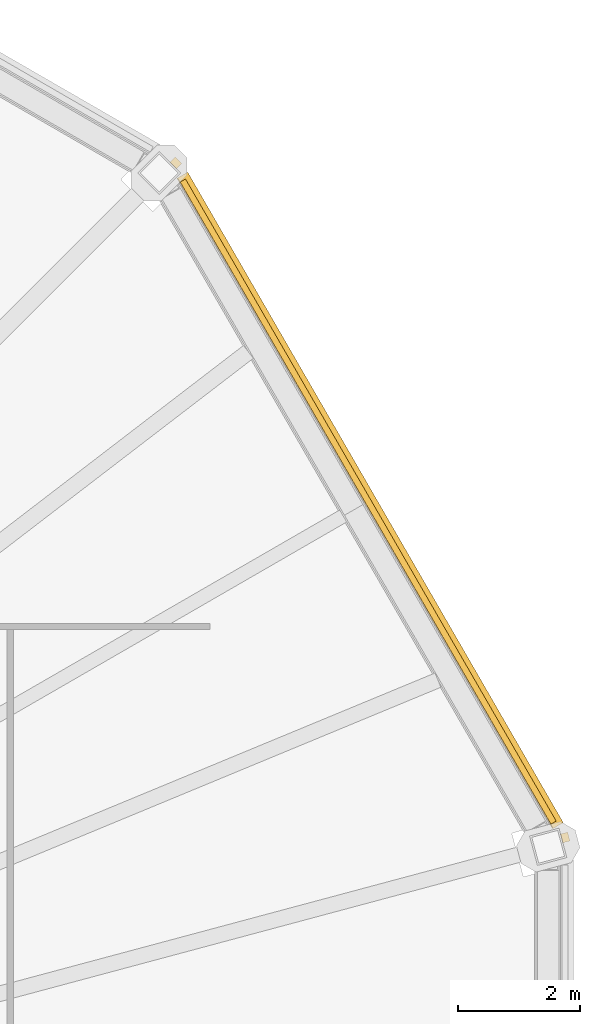
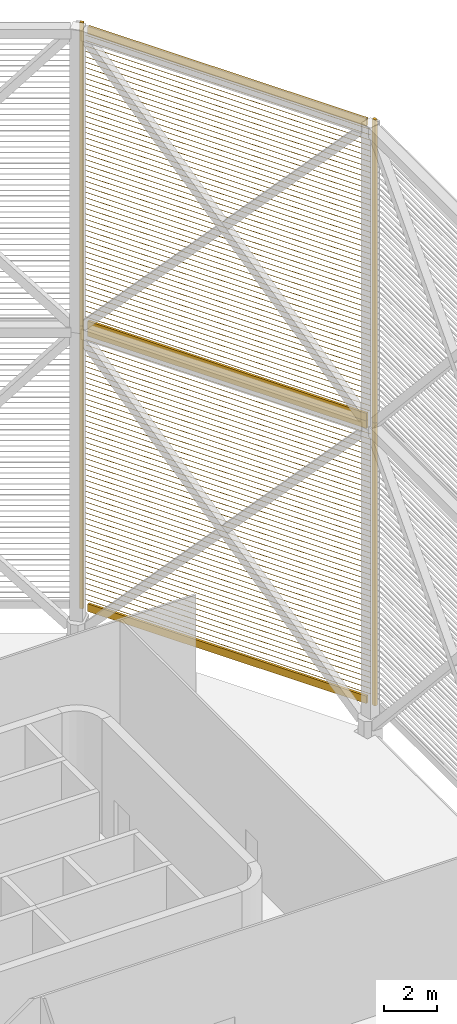
# One storey, part 17 of 18: 2 shading devices.
"""IFC4 building model written with IfcOpenShell, lengths in metres."""

from ifc_helpers import new_model, si_unit, direction, frame, origin, origin_2d, place, context, subcontext, project, spatial, rectangle, extrude, material, type_object, element, save


model = new_model("IFC4")

# Units and contexts
model_context = context("Model", 3, precision=1e-05, world=origin(), true_north=direction((0.0, 1.0)))
body_context = subcontext(model_context, "Body", "Model", "MODEL_VIEW")
ifc_project = project(units=[si_unit("LENGTHUNIT", "METRE"), si_unit("AREAUNIT", "SQUARE_METRE"), si_unit("VOLUMEUNIT", "CUBIC_METRE"), si_unit("PLANEANGLEUNIT", "RADIAN"), si_unit("MASSUNIT", "GRAM", prefix="KILO")], contexts=[model_context])

# Site, building, storey
site_placement = place(None, origin())
site = spatial("IfcSite", under=ifc_project, at=site_placement, CompositionType="ELEMENT")
building_placement = place(site_placement, origin())
building = spatial("IfcBuilding", under=site, at=building_placement, Name="Sahrelin Media Tower", CompositionType="ELEMENT")
storey_placement = place(building_placement, frame((0.0, 0.0, 335.800048828125)))
storey = spatial("IfcBuildingStorey", under=building, at=storey_placement, Name="Crown", CompositionType="ELEMENT", Elevation=335.800048828125)

# Shading devices
ifc_material = material(Name="Champagne anodised aluminium 6063-T6", Category="aluminium")
shading_device_type = type_object("IfcShadingDeviceType", Name="Crown louvre screen", PredefinedType="USERDEFINED", material=ifc_material)
shading_device_1_placement = place(storey_placement, frame((23.830078125, 6.38525390625, 0.949951171875), z_axis=(0.0, 0.0, 1.0), x_axis=(0.500011000363, -0.866019052629, 0.0)))
element("IfcShadingDevice", 1, at=shading_device_1_placement, inside=storey, type_object=shading_device_type, Name="Crown louvre screen CS-00A", ObjectType="LOUVRE", PredefinedType="USERDEFINED", context=body_context, shape_type="SweptSolid", body=[
    extrude(rectangle(XDim=0.10009765625, YDim=0.35009765625, at=origin_2d()), frame((-0.300048828125, 0.27490234375, 12.875), z_axis=(-1.0, 0.0, 0.0), x_axis=(0.0, -1.0, 0.0)), (0.0, 0.0, 1.0), 12.17041015625),
    extrude(rectangle(XDim=0.10009765625, YDim=0.35009765625, at=origin_2d()), frame((-0.300048828125, 0.27490234375, 0.175048828125), z_axis=(-1.0, 0.0, 0.0), x_axis=(0.0, -1.0, 0.0)), (0.0, 0.0, 1.0), 12.17041015625),
    extrude(rectangle(XDim=0.1201171875, YDim=0.14990234375, at=origin_2d()), frame((0.0078125, 0.31884765625, 0.0), z_axis=(0.0, 0.0, 1.0), x_axis=(0.258820730961, 0.965925374563, 0.0)), (0.0, 0.0, 1.0), 13.050048828125),
    extrude(rectangle(XDim=0.1201171875, YDim=0.14990234375, at=origin_2d()), frame((-12.7783203125, 0.31884765625, 0.0), z_axis=(0.0, 0.0, 1.0), x_axis=(-0.258817359244, 0.965926278012, 0.0)), (0.0, 0.0, 1.0), 13.050048828125),
    extrude(rectangle(XDim=0.25, YDim=0.02001953125, at=origin_2d()), frame((-0.219970703125, 0.31005859375, 0.449951171875), z_axis=(-1.0, 0.0, 0.0), x_axis=(0.0, -0.766044443119, 0.642787609687)), (0.0, 0.0, 1.0), 12.33056640625),
    extrude(rectangle(XDim=0.25, YDim=0.02001953125, at=origin_2d()), frame((-0.219970703125, 0.31005859375, 0.699951171875), z_axis=(-1.0, 0.0, 0.0), x_axis=(0.0, -0.766044443119, 0.642787609687)), (0.0, 0.0, 1.0), 12.33056640625),
    extrude(rectangle(XDim=0.25, YDim=0.02001953125, at=origin_2d()), frame((-0.219970703125, 0.31005859375, 0.949951171875), z_axis=(-1.0, 0.0, 0.0), x_axis=(0.0, -0.766044443119, 0.642787609687)), (0.0, 0.0, 1.0), 12.33056640625),
    extrude(rectangle(XDim=0.25, YDim=0.02001953125, at=origin_2d()), frame((-0.219970703125, 0.31005859375, 1.199951171875), z_axis=(-1.0, 0.0, 0.0), x_axis=(0.0, -0.766044443119, 0.642787609687)), (0.0, 0.0, 1.0), 12.33056640625),
    extrude(rectangle(XDim=0.25, YDim=0.02001953125, at=origin_2d()), frame((-0.219970703125, 0.31005859375, 1.449951171875), z_axis=(-1.0, 0.0, 0.0), x_axis=(0.0, -0.766044443119, 0.642787609687)), (0.0, 0.0, 1.0), 12.33056640625),
    extrude(rectangle(XDim=0.25, YDim=0.02001953125, at=origin_2d()), frame((-0.219970703125, 0.31005859375, 1.699951171875), z_axis=(-1.0, 0.0, 0.0), x_axis=(0.0, -0.766044443119, 0.642787609687)), (0.0, 0.0, 1.0), 12.33056640625),
    extrude(rectangle(XDim=0.25, YDim=0.02001953125, at=origin_2d()), frame((-0.219970703125, 0.31005859375, 1.949951171875), z_axis=(-1.0, 0.0, 0.0), x_axis=(0.0, -0.766044443119, 0.642787609687)), (0.0, 0.0, 1.0), 12.33056640625),
    extrude(rectangle(XDim=0.25, YDim=0.02001953125, at=origin_2d()), frame((-0.219970703125, 0.31005859375, 2.199951171875), z_axis=(-1.0, 0.0, 0.0), x_axis=(0.0, -0.766044443119, 0.642787609687)), (0.0, 0.0, 1.0), 12.33056640625),
    extrude(rectangle(XDim=0.25, YDim=0.02001953125, at=origin_2d()), frame((-0.219970703125, 0.31005859375, 2.449951171875), z_axis=(-1.0, 0.0, 0.0), x_axis=(0.0, -0.766044443119, 0.642787609687)), (0.0, 0.0, 1.0), 12.33056640625),
    extrude(rectangle(XDim=0.25, YDim=0.02001953125, at=origin_2d()), frame((-0.219970703125, 0.31005859375, 2.699951171875), z_axis=(-1.0, 0.0, 0.0), x_axis=(0.0, -0.766044443119, 0.642787609687)), (0.0, 0.0, 1.0), 12.33056640625),
    extrude(rectangle(XDim=0.25, YDim=0.02001953125, at=origin_2d()), frame((-0.219970703125, 0.31005859375, 2.949951171875), z_axis=(-1.0, 0.0, 0.0), x_axis=(0.0, -0.766044443119, 0.642787609687)), (0.0, 0.0, 1.0), 12.33056640625),
    extrude(rectangle(XDim=0.25, YDim=0.02001953125, at=origin_2d()), frame((-0.219970703125, 0.31005859375, 3.199951171875), z_axis=(-1.0, 0.0, 0.0), x_axis=(0.0, -0.766044443119, 0.642787609687)), (0.0, 0.0, 1.0), 12.33056640625),
    extrude(rectangle(XDim=0.25, YDim=0.02001953125, at=origin_2d()), frame((-0.219970703125, 0.31005859375, 3.449951171875), z_axis=(-1.0, 0.0, 0.0), x_axis=(0.0, -0.766044443119, 0.642787609687)), (0.0, 0.0, 1.0), 12.33056640625),
    extrude(rectangle(XDim=0.25, YDim=0.02001953125, at=origin_2d()), frame((-0.219970703125, 0.31005859375, 3.699951171875), z_axis=(-1.0, 0.0, 0.0), x_axis=(0.0, -0.766044443119, 0.642787609687)), (0.0, 0.0, 1.0), 12.33056640625),
    extrude(rectangle(XDim=0.25, YDim=0.02001953125, at=origin_2d()), frame((-0.219970703125, 0.31005859375, 3.949951171875), z_axis=(-1.0, 0.0, 0.0), x_axis=(0.0, -0.766044443119, 0.642787609687)), (0.0, 0.0, 1.0), 12.33056640625),
    extrude(rectangle(XDim=0.25, YDim=0.02001953125, at=origin_2d()), frame((-0.219970703125, 0.31005859375, 4.199951171875), z_axis=(-1.0, 0.0, 0.0), x_axis=(0.0, -0.766044443119, 0.642787609687)), (0.0, 0.0, 1.0), 12.33056640625),
    extrude(rectangle(XDim=0.25, YDim=0.02001953125, at=origin_2d()), frame((-0.219970703125, 0.31005859375, 4.449951171875), z_axis=(-1.0, 0.0, 0.0), x_axis=(0.0, -0.766044443119, 0.642787609687)), (0.0, 0.0, 1.0), 12.33056640625),
    extrude(rectangle(XDim=0.25, YDim=0.02001953125, at=origin_2d()), frame((-0.219970703125, 0.31005859375, 4.699951171875), z_axis=(-1.0, 0.0, 0.0), x_axis=(0.0, -0.766044443119, 0.642787609687)), (0.0, 0.0, 1.0), 12.33056640625),
    extrude(rectangle(XDim=0.25, YDim=0.02001953125, at=origin_2d()), frame((-0.219970703125, 0.31005859375, 4.949951171875), z_axis=(-1.0, 0.0, 0.0), x_axis=(0.0, -0.766044443119, 0.642787609687)), (0.0, 0.0, 1.0), 12.33056640625),
    extrude(rectangle(XDim=0.25, YDim=0.02001953125, at=origin_2d()), frame((-0.219970703125, 0.31005859375, 5.199951171875), z_axis=(-1.0, 0.0, 0.0), x_axis=(0.0, -0.766044443119, 0.642787609687)), (0.0, 0.0, 1.0), 12.33056640625),
    extrude(rectangle(XDim=0.25, YDim=0.02001953125, at=origin_2d()), frame((-0.219970703125, 0.31005859375, 5.449951171875), z_axis=(-1.0, 0.0, 0.0), x_axis=(0.0, -0.766044443119, 0.642787609687)), (0.0, 0.0, 1.0), 12.33056640625),
    extrude(rectangle(XDim=0.25, YDim=0.02001953125, at=origin_2d()), frame((-0.219970703125, 0.31005859375, 5.699951171875), z_axis=(-1.0, 0.0, 0.0), x_axis=(0.0, -0.766044443119, 0.642787609687)), (0.0, 0.0, 1.0), 12.33056640625),
    extrude(rectangle(XDim=0.25, YDim=0.02001953125, at=origin_2d()), frame((-0.219970703125, 0.31005859375, 5.949951171875), z_axis=(-1.0, 0.0, 0.0), x_axis=(0.0, -0.766044443119, 0.642787609687)), (0.0, 0.0, 1.0), 12.33056640625),
    extrude(rectangle(XDim=0.25, YDim=0.02001953125, at=origin_2d()), frame((-0.219970703125, 0.31005859375, 6.199951171875), z_axis=(-1.0, 0.0, 0.0), x_axis=(0.0, -0.766044443119, 0.642787609687)), (0.0, 0.0, 1.0), 12.33056640625),
    extrude(rectangle(XDim=0.25, YDim=0.02001953125, at=origin_2d()), frame((-0.219970703125, 0.31005859375, 6.449951171875), z_axis=(-1.0, 0.0, 0.0), x_axis=(0.0, -0.766044443119, 0.642787609687)), (0.0, 0.0, 1.0), 12.33056640625),
    extrude(rectangle(XDim=0.25, YDim=0.02001953125, at=origin_2d()), frame((-0.219970703125, 0.31005859375, 6.699951171875), z_axis=(-1.0, 0.0, 0.0), x_axis=(0.0, -0.766044443119, 0.642787609687)), (0.0, 0.0, 1.0), 12.33056640625),
    extrude(rectangle(XDim=0.25, YDim=0.02001953125, at=origin_2d()), frame((-0.219970703125, 0.31005859375, 6.949951171875), z_axis=(-1.0, 0.0, 0.0), x_axis=(0.0, -0.766044443119, 0.642787609687)), (0.0, 0.0, 1.0), 12.33056640625),
    extrude(rectangle(XDim=0.25, YDim=0.02001953125, at=origin_2d()), frame((-0.219970703125, 0.31005859375, 7.199951171875), z_axis=(-1.0, 0.0, 0.0), x_axis=(0.0, -0.766044443119, 0.642787609687)), (0.0, 0.0, 1.0), 12.33056640625),
    extrude(rectangle(XDim=0.25, YDim=0.02001953125, at=origin_2d()), frame((-0.219970703125, 0.31005859375, 7.449951171875), z_axis=(-1.0, 0.0, 0.0), x_axis=(0.0, -0.766044443119, 0.642787609687)), (0.0, 0.0, 1.0), 12.33056640625),
    extrude(rectangle(XDim=0.25, YDim=0.02001953125, at=origin_2d()), frame((-0.219970703125, 0.31005859375, 7.699951171875), z_axis=(-1.0, 0.0, 0.0), x_axis=(0.0, -0.766044443119, 0.642787609687)), (0.0, 0.0, 1.0), 12.33056640625),
    extrude(rectangle(XDim=0.25, YDim=0.02001953125, at=origin_2d()), frame((-0.219970703125, 0.31005859375, 7.949951171875), z_axis=(-1.0, 0.0, 0.0), x_axis=(0.0, -0.766044443119, 0.642787609687)), (0.0, 0.0, 1.0), 12.33056640625),
    extrude(rectangle(XDim=0.25, YDim=0.02001953125, at=origin_2d()), frame((-0.219970703125, 0.31005859375, 8.199951171875), z_axis=(-1.0, 0.0, 0.0), x_axis=(0.0, -0.766044443119, 0.642787609687)), (0.0, 0.0, 1.0), 12.33056640625),
    extrude(rectangle(XDim=0.25, YDim=0.02001953125, at=origin_2d()), frame((-0.219970703125, 0.31005859375, 8.449951171875), z_axis=(-1.0, 0.0, 0.0), x_axis=(0.0, -0.766044443119, 0.642787609687)), (0.0, 0.0, 1.0), 12.33056640625),
    extrude(rectangle(XDim=0.25, YDim=0.02001953125, at=origin_2d()), frame((-0.219970703125, 0.31005859375, 8.699951171875), z_axis=(-1.0, 0.0, 0.0), x_axis=(0.0, -0.766044443119, 0.642787609687)), (0.0, 0.0, 1.0), 12.33056640625),
    extrude(rectangle(XDim=0.25, YDim=0.02001953125, at=origin_2d()), frame((-0.219970703125, 0.31005859375, 8.949951171875), z_axis=(-1.0, 0.0, 0.0), x_axis=(0.0, -0.766044443119, 0.642787609687)), (0.0, 0.0, 1.0), 12.33056640625),
    extrude(rectangle(XDim=0.25, YDim=0.02001953125, at=origin_2d()), frame((-0.219970703125, 0.31005859375, 9.199951171875), z_axis=(-1.0, 0.0, 0.0), x_axis=(0.0, -0.766044443119, 0.642787609687)), (0.0, 0.0, 1.0), 12.33056640625),
    extrude(rectangle(XDim=0.25, YDim=0.02001953125, at=origin_2d()), frame((-0.219970703125, 0.31005859375, 9.449951171875), z_axis=(-1.0, 0.0, 0.0), x_axis=(0.0, -0.766044443119, 0.642787609687)), (0.0, 0.0, 1.0), 12.33056640625),
    extrude(rectangle(XDim=0.25, YDim=0.02001953125, at=origin_2d()), frame((-0.219970703125, 0.31005859375, 9.699951171875), z_axis=(-1.0, 0.0, 0.0), x_axis=(0.0, -0.766044443119, 0.642787609687)), (0.0, 0.0, 1.0), 12.33056640625),
    extrude(rectangle(XDim=0.25, YDim=0.02001953125, at=origin_2d()), frame((-0.219970703125, 0.31005859375, 9.949951171875), z_axis=(-1.0, 0.0, 0.0), x_axis=(0.0, -0.766044443119, 0.642787609687)), (0.0, 0.0, 1.0), 12.33056640625),
    extrude(rectangle(XDim=0.25, YDim=0.02001953125, at=origin_2d()), frame((-0.219970703125, 0.31005859375, 10.199951171875), z_axis=(-1.0, 0.0, 0.0), x_axis=(0.0, -0.766044443119, 0.642787609687)), (0.0, 0.0, 1.0), 12.33056640625),
    extrude(rectangle(XDim=0.25, YDim=0.02001953125, at=origin_2d()), frame((-0.219970703125, 0.31005859375, 10.449951171875), z_axis=(-1.0, 0.0, 0.0), x_axis=(0.0, -0.766044443119, 0.642787609687)), (0.0, 0.0, 1.0), 12.33056640625),
    extrude(rectangle(XDim=0.25, YDim=0.02001953125, at=origin_2d()), frame((-0.219970703125, 0.31005859375, 10.699951171875), z_axis=(-1.0, 0.0, 0.0), x_axis=(0.0, -0.766044443119, 0.642787609687)), (0.0, 0.0, 1.0), 12.33056640625),
    extrude(rectangle(XDim=0.25, YDim=0.02001953125, at=origin_2d()), frame((-0.219970703125, 0.31005859375, 10.949951171875), z_axis=(-1.0, 0.0, 0.0), x_axis=(0.0, -0.766044443119, 0.642787609687)), (0.0, 0.0, 1.0), 12.33056640625),
    extrude(rectangle(XDim=0.25, YDim=0.02001953125, at=origin_2d()), frame((-0.219970703125, 0.31005859375, 11.199951171875), z_axis=(-1.0, 0.0, 0.0), x_axis=(0.0, -0.766044443119, 0.642787609687)), (0.0, 0.0, 1.0), 12.33056640625),
    extrude(rectangle(XDim=0.25, YDim=0.02001953125, at=origin_2d()), frame((-0.219970703125, 0.31005859375, 11.449951171875), z_axis=(-1.0, 0.0, 0.0), x_axis=(0.0, -0.766044443119, 0.642787609687)), (0.0, 0.0, 1.0), 12.33056640625),
    extrude(rectangle(XDim=0.25, YDim=0.02001953125, at=origin_2d()), frame((-0.219970703125, 0.31005859375, 11.699951171875), z_axis=(-1.0, 0.0, 0.0), x_axis=(0.0, -0.766044443119, 0.642787609687)), (0.0, 0.0, 1.0), 12.33056640625),
    extrude(rectangle(XDim=0.25, YDim=0.02001953125, at=origin_2d()), frame((-0.219970703125, 0.31005859375, 11.949951171875), z_axis=(-1.0, 0.0, 0.0), x_axis=(0.0, -0.766044443119, 0.642787609687)), (0.0, 0.0, 1.0), 12.33056640625),
    extrude(rectangle(XDim=0.25, YDim=0.02001953125, at=origin_2d()), frame((-0.219970703125, 0.31005859375, 12.199951171875), z_axis=(-1.0, 0.0, 0.0), x_axis=(0.0, -0.766044443119, 0.642787609687)), (0.0, 0.0, 1.0), 12.33056640625),
    extrude(rectangle(XDim=0.25, YDim=0.02001953125, at=origin_2d()), frame((-0.219970703125, 0.31005859375, 12.449951171875), z_axis=(-1.0, 0.0, 0.0), x_axis=(0.0, -0.766044443119, 0.642787609687)), (0.0, 0.0, 1.0), 12.33056640625),
])
shading_device_2_placement = place(storey_placement, frame((23.830078125, 6.38525390625, 14.0), z_axis=(0.0, 0.0, 1.0), x_axis=(0.500011000363, -0.866019052629, 0.0)))
element("IfcShadingDevice", 2, at=shading_device_2_placement, inside=storey, type_object=shading_device_type, Name="Crown louvre screen CS-00B", ObjectType="LOUVRE", PredefinedType="USERDEFINED", context=body_context, shape_type="SweptSolid", body=[
    extrude(rectangle(XDim=0.10009765625, YDim=0.35009765625, at=origin_2d()), frame((-0.300048828125, 0.27490234375, 13.77490234375), z_axis=(-1.0, 0.0, 0.0), x_axis=(0.0, -1.0, 0.0)), (0.0, 0.0, 1.0), 12.17041015625),
    extrude(rectangle(XDim=0.10009765625, YDim=0.35009765625, at=origin_2d()), frame((-0.300048828125, 0.27490234375, 0.175048828125), z_axis=(-1.0, 0.0, 0.0), x_axis=(0.0, -1.0, 0.0)), (0.0, 0.0, 1.0), 12.17041015625),
    extrude(rectangle(XDim=0.1201171875, YDim=0.14990234375, at=origin_2d()), frame((0.0078125, 0.31884765625, 0.0), z_axis=(0.0, 0.0, 1.0), x_axis=(0.258820730961, 0.965925374563, 0.0)), (0.0, 0.0, 1.0), 14.0),
    extrude(rectangle(XDim=0.1201171875, YDim=0.14990234375, at=origin_2d()), frame((-12.7783203125, 0.31884765625, 0.0), z_axis=(0.0, 0.0, 1.0), x_axis=(-0.258817359244, 0.965926278012, 0.0)), (0.0, 0.0, 1.0), 14.0),
    extrude(rectangle(XDim=0.25, YDim=0.02001953125, at=origin_2d()), frame((-0.219970703125, 0.31005859375, 0.449951171875), z_axis=(-1.0, 0.0, 0.0), x_axis=(0.0, -0.766044443119, 0.642787609687)), (0.0, 0.0, 1.0), 12.33056640625),
    extrude(rectangle(XDim=0.25, YDim=0.02001953125, at=origin_2d()), frame((-0.219970703125, 0.31005859375, 0.699951171875), z_axis=(-1.0, 0.0, 0.0), x_axis=(0.0, -0.766044443119, 0.642787609687)), (0.0, 0.0, 1.0), 12.33056640625),
    extrude(rectangle(XDim=0.25, YDim=0.02001953125, at=origin_2d()), frame((-0.219970703125, 0.31005859375, 0.949951171875), z_axis=(-1.0, 0.0, 0.0), x_axis=(0.0, -0.766044443119, 0.642787609687)), (0.0, 0.0, 1.0), 12.33056640625),
    extrude(rectangle(XDim=0.25, YDim=0.02001953125, at=origin_2d()), frame((-0.219970703125, 0.31005859375, 1.199951171875), z_axis=(-1.0, 0.0, 0.0), x_axis=(0.0, -0.766044443119, 0.642787609687)), (0.0, 0.0, 1.0), 12.33056640625),
    extrude(rectangle(XDim=0.25, YDim=0.02001953125, at=origin_2d()), frame((-0.219970703125, 0.31005859375, 1.449951171875), z_axis=(-1.0, 0.0, 0.0), x_axis=(0.0, -0.766044443119, 0.642787609687)), (0.0, 0.0, 1.0), 12.33056640625),
    extrude(rectangle(XDim=0.25, YDim=0.02001953125, at=origin_2d()), frame((-0.219970703125, 0.31005859375, 1.699951171875), z_axis=(-1.0, 0.0, 0.0), x_axis=(0.0, -0.766044443119, 0.642787609687)), (0.0, 0.0, 1.0), 12.33056640625),
    extrude(rectangle(XDim=0.25, YDim=0.02001953125, at=origin_2d()), frame((-0.219970703125, 0.31005859375, 1.949951171875), z_axis=(-1.0, 0.0, 0.0), x_axis=(0.0, -0.766044443119, 0.642787609687)), (0.0, 0.0, 1.0), 12.33056640625),
    extrude(rectangle(XDim=0.25, YDim=0.02001953125, at=origin_2d()), frame((-0.219970703125, 0.31005859375, 2.199951171875), z_axis=(-1.0, 0.0, 0.0), x_axis=(0.0, -0.766044443119, 0.642787609687)), (0.0, 0.0, 1.0), 12.33056640625),
    extrude(rectangle(XDim=0.25, YDim=0.02001953125, at=origin_2d()), frame((-0.219970703125, 0.31005859375, 2.449951171875), z_axis=(-1.0, 0.0, 0.0), x_axis=(0.0, -0.766044443119, 0.642787609687)), (0.0, 0.0, 1.0), 12.33056640625),
    extrude(rectangle(XDim=0.25, YDim=0.02001953125, at=origin_2d()), frame((-0.219970703125, 0.31005859375, 2.699951171875), z_axis=(-1.0, 0.0, 0.0), x_axis=(0.0, -0.766044443119, 0.642787609687)), (0.0, 0.0, 1.0), 12.33056640625),
    extrude(rectangle(XDim=0.25, YDim=0.02001953125, at=origin_2d()), frame((-0.219970703125, 0.31005859375, 2.949951171875), z_axis=(-1.0, 0.0, 0.0), x_axis=(0.0, -0.766044443119, 0.642787609687)), (0.0, 0.0, 1.0), 12.33056640625),
    extrude(rectangle(XDim=0.25, YDim=0.02001953125, at=origin_2d()), frame((-0.219970703125, 0.31005859375, 3.199951171875), z_axis=(-1.0, 0.0, 0.0), x_axis=(0.0, -0.766044443119, 0.642787609687)), (0.0, 0.0, 1.0), 12.33056640625),
    extrude(rectangle(XDim=0.25, YDim=0.02001953125, at=origin_2d()), frame((-0.219970703125, 0.31005859375, 3.449951171875), z_axis=(-1.0, 0.0, 0.0), x_axis=(0.0, -0.766044443119, 0.642787609687)), (0.0, 0.0, 1.0), 12.33056640625),
    extrude(rectangle(XDim=0.25, YDim=0.02001953125, at=origin_2d()), frame((-0.219970703125, 0.31005859375, 3.699951171875), z_axis=(-1.0, 0.0, 0.0), x_axis=(0.0, -0.766044443119, 0.642787609687)), (0.0, 0.0, 1.0), 12.33056640625),
    extrude(rectangle(XDim=0.25, YDim=0.02001953125, at=origin_2d()), frame((-0.219970703125, 0.31005859375, 3.949951171875), z_axis=(-1.0, 0.0, 0.0), x_axis=(0.0, -0.766044443119, 0.642787609687)), (0.0, 0.0, 1.0), 12.33056640625),
    extrude(rectangle(XDim=0.25, YDim=0.02001953125, at=origin_2d()), frame((-0.219970703125, 0.31005859375, 4.199951171875), z_axis=(-1.0, 0.0, 0.0), x_axis=(0.0, -0.766044443119, 0.642787609687)), (0.0, 0.0, 1.0), 12.33056640625),
    extrude(rectangle(XDim=0.25, YDim=0.02001953125, at=origin_2d()), frame((-0.219970703125, 0.31005859375, 4.449951171875), z_axis=(-1.0, 0.0, 0.0), x_axis=(0.0, -0.766044443119, 0.642787609687)), (0.0, 0.0, 1.0), 12.33056640625),
    extrude(rectangle(XDim=0.25, YDim=0.02001953125, at=origin_2d()), frame((-0.219970703125, 0.31005859375, 4.699951171875), z_axis=(-1.0, 0.0, 0.0), x_axis=(0.0, -0.766044443119, 0.642787609687)), (0.0, 0.0, 1.0), 12.33056640625),
    extrude(rectangle(XDim=0.25, YDim=0.02001953125, at=origin_2d()), frame((-0.219970703125, 0.31005859375, 4.949951171875), z_axis=(-1.0, 0.0, 0.0), x_axis=(0.0, -0.766044443119, 0.642787609687)), (0.0, 0.0, 1.0), 12.33056640625),
    extrude(rectangle(XDim=0.25, YDim=0.02001953125, at=origin_2d()), frame((-0.219970703125, 0.31005859375, 5.199951171875), z_axis=(-1.0, 0.0, 0.0), x_axis=(0.0, -0.766044443119, 0.642787609687)), (0.0, 0.0, 1.0), 12.33056640625),
    extrude(rectangle(XDim=0.25, YDim=0.02001953125, at=origin_2d()), frame((-0.219970703125, 0.31005859375, 5.449951171875), z_axis=(-1.0, 0.0, 0.0), x_axis=(0.0, -0.766044443119, 0.642787609687)), (0.0, 0.0, 1.0), 12.33056640625),
    extrude(rectangle(XDim=0.25, YDim=0.02001953125, at=origin_2d()), frame((-0.219970703125, 0.31005859375, 5.699951171875), z_axis=(-1.0, 0.0, 0.0), x_axis=(0.0, -0.766044443119, 0.642787609687)), (0.0, 0.0, 1.0), 12.33056640625),
    extrude(rectangle(XDim=0.25, YDim=0.02001953125, at=origin_2d()), frame((-0.219970703125, 0.31005859375, 5.949951171875), z_axis=(-1.0, 0.0, 0.0), x_axis=(0.0, -0.766044443119, 0.642787609687)), (0.0, 0.0, 1.0), 12.33056640625),
    extrude(rectangle(XDim=0.25, YDim=0.02001953125, at=origin_2d()), frame((-0.219970703125, 0.31005859375, 6.199951171875), z_axis=(-1.0, 0.0, 0.0), x_axis=(0.0, -0.766044443119, 0.642787609687)), (0.0, 0.0, 1.0), 12.33056640625),
    extrude(rectangle(XDim=0.25, YDim=0.02001953125, at=origin_2d()), frame((-0.219970703125, 0.31005859375, 6.449951171875), z_axis=(-1.0, 0.0, 0.0), x_axis=(0.0, -0.766044443119, 0.642787609687)), (0.0, 0.0, 1.0), 12.33056640625),
    extrude(rectangle(XDim=0.25, YDim=0.02001953125, at=origin_2d()), frame((-0.219970703125, 0.31005859375, 6.699951171875), z_axis=(-1.0, 0.0, 0.0), x_axis=(0.0, -0.766044443119, 0.642787609687)), (0.0, 0.0, 1.0), 12.33056640625),
    extrude(rectangle(XDim=0.25, YDim=0.02001953125, at=origin_2d()), frame((-0.219970703125, 0.31005859375, 6.949951171875), z_axis=(-1.0, 0.0, 0.0), x_axis=(0.0, -0.766044443119, 0.642787609687)), (0.0, 0.0, 1.0), 12.33056640625),
    extrude(rectangle(XDim=0.25, YDim=0.02001953125, at=origin_2d()), frame((-0.219970703125, 0.31005859375, 7.199951171875), z_axis=(-1.0, 0.0, 0.0), x_axis=(0.0, -0.766044443119, 0.642787609687)), (0.0, 0.0, 1.0), 12.33056640625),
    extrude(rectangle(XDim=0.25, YDim=0.02001953125, at=origin_2d()), frame((-0.219970703125, 0.31005859375, 7.449951171875), z_axis=(-1.0, 0.0, 0.0), x_axis=(0.0, -0.766044443119, 0.642787609687)), (0.0, 0.0, 1.0), 12.33056640625),
    extrude(rectangle(XDim=0.25, YDim=0.02001953125, at=origin_2d()), frame((-0.219970703125, 0.31005859375, 7.699951171875), z_axis=(-1.0, 0.0, 0.0), x_axis=(0.0, -0.766044443119, 0.642787609687)), (0.0, 0.0, 1.0), 12.33056640625),
    extrude(rectangle(XDim=0.25, YDim=0.02001953125, at=origin_2d()), frame((-0.219970703125, 0.31005859375, 7.949951171875), z_axis=(-1.0, 0.0, 0.0), x_axis=(0.0, -0.766044443119, 0.642787609687)), (0.0, 0.0, 1.0), 12.33056640625),
    extrude(rectangle(XDim=0.25, YDim=0.02001953125, at=origin_2d()), frame((-0.219970703125, 0.31005859375, 8.199951171875), z_axis=(-1.0, 0.0, 0.0), x_axis=(0.0, -0.766044443119, 0.642787609687)), (0.0, 0.0, 1.0), 12.33056640625),
    extrude(rectangle(XDim=0.25, YDim=0.02001953125, at=origin_2d()), frame((-0.219970703125, 0.31005859375, 8.449951171875), z_axis=(-1.0, 0.0, 0.0), x_axis=(0.0, -0.766044443119, 0.642787609687)), (0.0, 0.0, 1.0), 12.33056640625),
    extrude(rectangle(XDim=0.25, YDim=0.02001953125, at=origin_2d()), frame((-0.219970703125, 0.31005859375, 8.699951171875), z_axis=(-1.0, 0.0, 0.0), x_axis=(0.0, -0.766044443119, 0.642787609687)), (0.0, 0.0, 1.0), 12.33056640625),
    extrude(rectangle(XDim=0.25, YDim=0.02001953125, at=origin_2d()), frame((-0.219970703125, 0.31005859375, 8.949951171875), z_axis=(-1.0, 0.0, 0.0), x_axis=(0.0, -0.766044443119, 0.642787609687)), (0.0, 0.0, 1.0), 12.33056640625),
    extrude(rectangle(XDim=0.25, YDim=0.02001953125, at=origin_2d()), frame((-0.219970703125, 0.31005859375, 9.199951171875), z_axis=(-1.0, 0.0, 0.0), x_axis=(0.0, -0.766044443119, 0.642787609687)), (0.0, 0.0, 1.0), 12.33056640625),
    extrude(rectangle(XDim=0.25, YDim=0.02001953125, at=origin_2d()), frame((-0.219970703125, 0.31005859375, 9.449951171875), z_axis=(-1.0, 0.0, 0.0), x_axis=(0.0, -0.766044443119, 0.642787609687)), (0.0, 0.0, 1.0), 12.33056640625),
    extrude(rectangle(XDim=0.25, YDim=0.02001953125, at=origin_2d()), frame((-0.219970703125, 0.31005859375, 9.699951171875), z_axis=(-1.0, 0.0, 0.0), x_axis=(0.0, -0.766044443119, 0.642787609687)), (0.0, 0.0, 1.0), 12.33056640625),
    extrude(rectangle(XDim=0.25, YDim=0.02001953125, at=origin_2d()), frame((-0.219970703125, 0.31005859375, 9.949951171875), z_axis=(-1.0, 0.0, 0.0), x_axis=(0.0, -0.766044443119, 0.642787609687)), (0.0, 0.0, 1.0), 12.33056640625),
    extrude(rectangle(XDim=0.25, YDim=0.02001953125, at=origin_2d()), frame((-0.219970703125, 0.31005859375, 10.199951171875), z_axis=(-1.0, 0.0, 0.0), x_axis=(0.0, -0.766044443119, 0.642787609687)), (0.0, 0.0, 1.0), 12.33056640625),
    extrude(rectangle(XDim=0.25, YDim=0.02001953125, at=origin_2d()), frame((-0.219970703125, 0.31005859375, 10.449951171875), z_axis=(-1.0, 0.0, 0.0), x_axis=(0.0, -0.766044443119, 0.642787609687)), (0.0, 0.0, 1.0), 12.33056640625),
    extrude(rectangle(XDim=0.25, YDim=0.02001953125, at=origin_2d()), frame((-0.219970703125, 0.31005859375, 10.699951171875), z_axis=(-1.0, 0.0, 0.0), x_axis=(0.0, -0.766044443119, 0.642787609687)), (0.0, 0.0, 1.0), 12.33056640625),
    extrude(rectangle(XDim=0.25, YDim=0.02001953125, at=origin_2d()), frame((-0.219970703125, 0.31005859375, 10.949951171875), z_axis=(-1.0, 0.0, 0.0), x_axis=(0.0, -0.766044443119, 0.642787609687)), (0.0, 0.0, 1.0), 12.33056640625),
    extrude(rectangle(XDim=0.25, YDim=0.02001953125, at=origin_2d()), frame((-0.219970703125, 0.31005859375, 11.199951171875), z_axis=(-1.0, 0.0, 0.0), x_axis=(0.0, -0.766044443119, 0.642787609687)), (0.0, 0.0, 1.0), 12.33056640625),
    extrude(rectangle(XDim=0.25, YDim=0.02001953125, at=origin_2d()), frame((-0.219970703125, 0.31005859375, 11.449951171875), z_axis=(-1.0, 0.0, 0.0), x_axis=(0.0, -0.766044443119, 0.642787609687)), (0.0, 0.0, 1.0), 12.33056640625),
    extrude(rectangle(XDim=0.25, YDim=0.02001953125, at=origin_2d()), frame((-0.219970703125, 0.31005859375, 11.699951171875), z_axis=(-1.0, 0.0, 0.0), x_axis=(0.0, -0.766044443119, 0.642787609687)), (0.0, 0.0, 1.0), 12.33056640625),
    extrude(rectangle(XDim=0.25, YDim=0.02001953125, at=origin_2d()), frame((-0.219970703125, 0.31005859375, 11.949951171875), z_axis=(-1.0, 0.0, 0.0), x_axis=(0.0, -0.766044443119, 0.642787609687)), (0.0, 0.0, 1.0), 12.33056640625),
    extrude(rectangle(XDim=0.25, YDim=0.02001953125, at=origin_2d()), frame((-0.219970703125, 0.31005859375, 12.199951171875), z_axis=(-1.0, 0.0, 0.0), x_axis=(0.0, -0.766044443119, 0.642787609687)), (0.0, 0.0, 1.0), 12.33056640625),
    extrude(rectangle(XDim=0.25, YDim=0.02001953125, at=origin_2d()), frame((-0.219970703125, 0.31005859375, 12.449951171875), z_axis=(-1.0, 0.0, 0.0), x_axis=(0.0, -0.766044443119, 0.642787609687)), (0.0, 0.0, 1.0), 12.33056640625),
    extrude(rectangle(XDim=0.25, YDim=0.02001953125, at=origin_2d()), frame((-0.219970703125, 0.31005859375, 12.699951171875), z_axis=(-1.0, 0.0, 0.0), x_axis=(0.0, -0.766044443119, 0.642787609687)), (0.0, 0.0, 1.0), 12.33056640625),
    extrude(rectangle(XDim=0.25, YDim=0.02001953125, at=origin_2d()), frame((-0.219970703125, 0.31005859375, 12.949951171875), z_axis=(-1.0, 0.0, 0.0), x_axis=(0.0, -0.766044443119, 0.642787609687)), (0.0, 0.0, 1.0), 12.33056640625),
    extrude(rectangle(XDim=0.25, YDim=0.02001953125, at=origin_2d()), frame((-0.219970703125, 0.31005859375, 13.199951171875), z_axis=(-1.0, 0.0, 0.0), x_axis=(0.0, -0.766044443119, 0.642787609687)), (0.0, 0.0, 1.0), 12.33056640625),
    extrude(rectangle(XDim=0.25, YDim=0.02001953125, at=origin_2d()), frame((-0.219970703125, 0.31005859375, 13.449951171875), z_axis=(-1.0, 0.0, 0.0), x_axis=(0.0, -0.766044443119, 0.642787609687)), (0.0, 0.0, 1.0), 12.33056640625),
])

save(model, "model.ifc")
